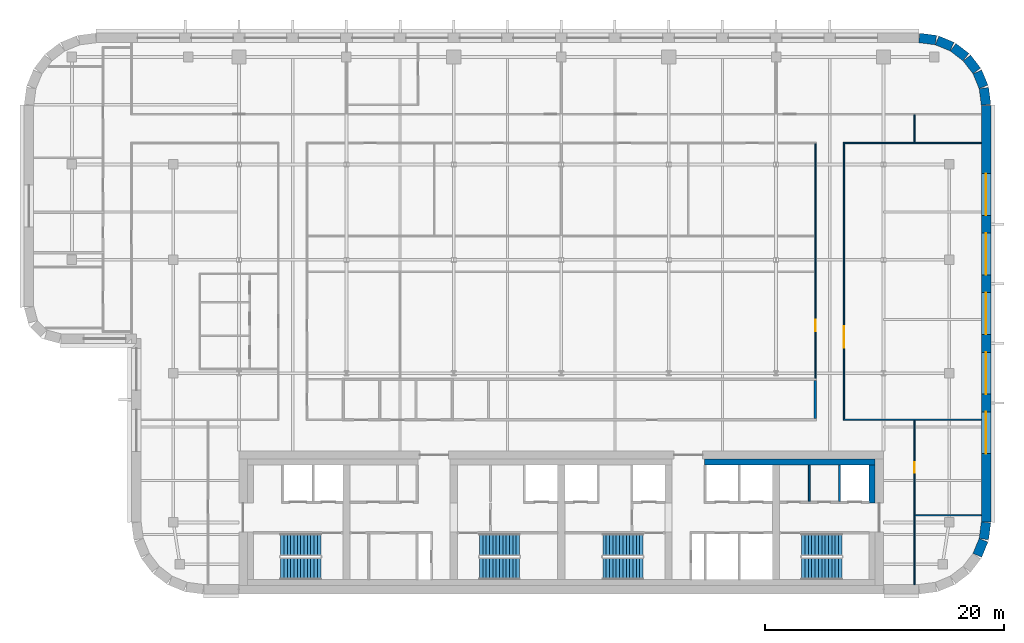
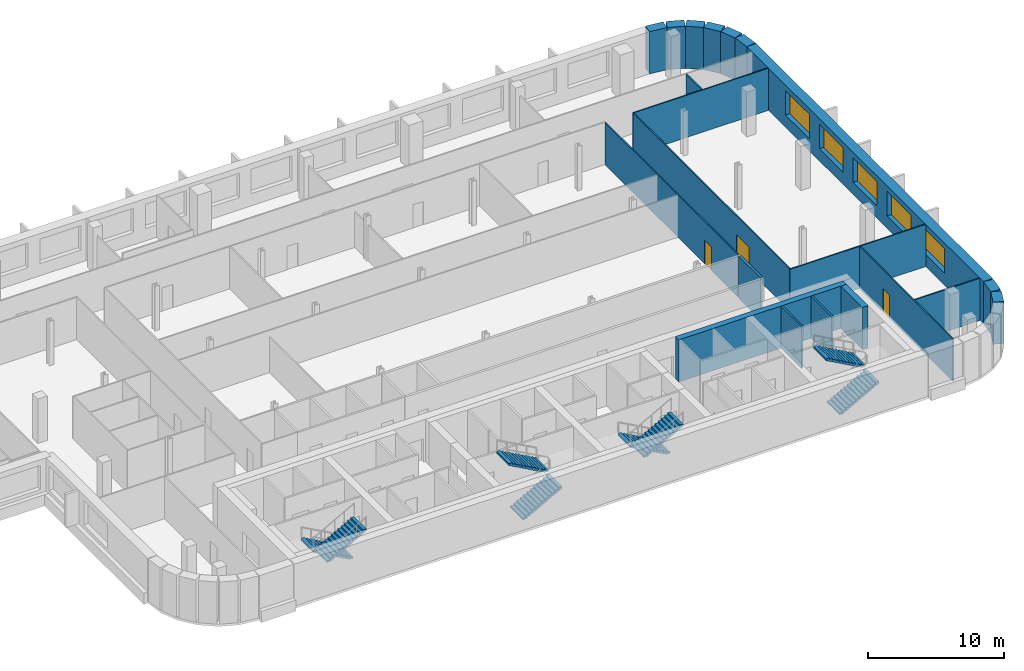
# One storey, part 12 of 16: 21 walls, 8 stair flights, 5 windows, 3 doors, 8 openings, 4 elements without a shape of their own.
"""IFC4 building model written with IfcOpenShell, lengths in metres."""

from ifc_helpers import new_model, si_unit, direction, frame, frame_2d, origin, place, context, subcontext, project, spatial, polyline, rectangle, outline, extrude, material, layer, layer_set, type_object, element, fill, aggregate, save


model = new_model("IFC4")

# Units and contexts
model_context = context("Model", 3, precision=1e-05, world=origin(), true_north=direction((0.0, 1.0)))
body_context = subcontext(model_context, "Body", "Model", "MODEL_VIEW")
ifc_project = project(units=[si_unit("LENGTHUNIT", "METRE"), si_unit("AREAUNIT", "SQUARE_METRE"), si_unit("VOLUMEUNIT", "CUBIC_METRE"), si_unit("PLANEANGLEUNIT", "RADIAN"), si_unit("MASSUNIT", "GRAM", prefix="KILO")], contexts=[model_context])

# Site, building, storey
site_placement = place(None, origin())
site = spatial("IfcSite", under=ifc_project, at=site_placement, CompositionType="ELEMENT")
building_placement = place(site_placement, origin())
building = spatial("IfcBuilding", under=site, at=building_placement, Name="Zellij Exchange Tower", CompositionType="ELEMENT")
storey_placement = place(building_placement, frame((0.0, 0.0, 236.5)))
storey = spatial("IfcBuildingStorey", under=building, at=storey_placement, Name="L55", CompositionType="ELEMENT", Elevation=236.5)

# Walls
ifc_material_1 = material(Name="Concrete C30/37", Category="concrete")
ifc_layer_1 = layer(ifc_material_1, 0.5)
ifc_layer_set_1 = layer_set([ifc_layer_1], Name="Concrete C30/37")
wall_type_1 = type_object("IfcWallType", Name="CORE-LW 500 C30/37", PredefinedType="SHEAR", material=ifc_layer_set_1)
wall_1_placement = place(storey_placement, frame((12.0, -2.949951171875, 0.0), z_axis=(0.0, 0.0, 1.0), x_axis=(1.0, 0.0, 0.0)))
element("IfcWall", 1, at=wall_1_placement, inside=storey, type_object=wall_type_1, Name="Core wall lining front.2 L55", PredefinedType="SHEAR", context=body_context, shape_type="SweptSolid", body=[
    extrude(rectangle(XDim=14.300048828125, YDim=0.5, at=frame_2d((7.14990234375, 0.0))), origin(), (0.0, 0.0, 1.0), 3.800048828125),
])
wall_2_placement = place(storey_placement, frame((26.050048828125, -6.375, 0.0), z_axis=(0.0, 0.0, 1.0), x_axis=(0.0, 1.0, 0.0)))
element("IfcWall", 2, at=wall_2_placement, inside=storey, type_object=wall_type_1, Name="Core wall lining end e.1 L55", PredefinedType="SHEAR", context=body_context, shape_type="SweptSolid", body=[
    extrude(rectangle(XDim=3.175048828125, YDim=0.5, at=frame_2d((1.58740234375, 0.0))), origin(), (0.0, 0.0, 1.0), 3.800048828125),
])
ifc_material_2 = material(Name="Gypsum board partition")
ifc_layer_2 = layer(ifc_material_2, 0.14990234375)
ifc_layer_set_2 = layer_set([ifc_layer_2], Name="Gypsum board partition")
wall_type_2 = type_object("IfcWallType", Name="CORE-PW 150 Lift lobby wall", PredefinedType="PARTITIONING", material=ifc_layer_set_2)
wall_3_placement = place(storey_placement, frame((20.77490234375, -6.22509765625, 0.0), z_axis=(0.0, 0.0, 1.0), x_axis=(0.0, 1.0, 0.0)))
element("IfcWall", 3, at=wall_3_placement, inside=storey, type_object=wall_type_2, Name="Lift lobby wall L55", PredefinedType="PARTITIONING", context=body_context, shape_type="SweptSolid", body=[
    extrude(rectangle(XDim=3.025146484375, YDim=0.14990234375, at=frame_2d((1.5126953125, 0.0))), origin(), (0.0, 0.0, 1.0), 3.800048828125),
])
ifc_material_3 = material(Name="Gypsum shaft wall system")
ifc_layer_3 = layer(ifc_material_3, 0.14990234375)
ifc_layer_set_3 = layer_set([ifc_layer_3], Name="Gypsum shaft wall system")
wall_type_3 = type_object("IfcWallType", Name="CORE-PW 150 Lift shaft wall", PredefinedType="PARTITIONING", material=ifc_layer_set_3)
wall_4_placement = place(storey_placement, frame((23.324951171875, -6.22509765625, 0.0), z_axis=(0.0, 0.0, 1.0), x_axis=(0.0, 1.0, 0.0)))
element("IfcWall", 4, at=wall_4_placement, inside=storey, type_object=wall_type_3, Name="Lift shaft wall L55", PredefinedType="PARTITIONING", context=body_context, shape_type="SweptSolid", body=[
    extrude(rectangle(XDim=3.025146484375, YDim=0.14990234375, at=frame_2d((1.5126953125, 0.0))), origin(), (0.0, 0.0, 1.0), 3.800048828125),
])
ifc_material_4 = material(Name="Precast concrete C40/50", Category="concrete")
ifc_layer_4 = layer(ifc_material_4, 0.800048828125)
ifc_layer_set_4 = layer_set([ifc_layer_4], Name="Precast concrete C40/50")
wall_type_4 = type_object("IfcWallType", Name="ENV-EW1 Precast stone-piered wall 800", PredefinedType="SOLIDWALL", material=ifc_layer_set_4)
wall_5_placement = place(storey_placement, frame((34.866943359375, -10.74951171875, 0.0), z_axis=(0.0, 0.0, 1.0), x_axis=(0.38276009378, 0.923847774587, 0.0)))
element("IfcWall", 5, at=wall_5_placement, inside=storey, type_object=wall_type_4, Name="fac.L55.05", PredefinedType="SOLIDWALL", context=body_context, shape_type="SweptSolid", body=[
    extrude(rectangle(XDim=1.35546875, YDim=0.800048828125, at=frame_2d((0.677734375, 0.0))), origin(), (0.0, 0.0, 1.0), 3.800048828125),
])
wall_6_placement = place(storey_placement, frame((35.412841796875, -9.396240234375, 0.0), z_axis=(0.0, 0.0, 1.0), x_axis=(0.130517283865, 0.99144603414, 0.0)))
element("IfcWall", 6, at=wall_6_placement, inside=storey, type_object=wall_type_4, Name="fac.L55.06", PredefinedType="SOLIDWALL", context=body_context, shape_type="SweptSolid", body=[
    extrude(rectangle(XDim=1.408447265625, YDim=0.800048828125, at=frame_2d((0.7041015625, 0.0))), origin(), (0.0, 0.0, 1.0), 3.800048828125),
])

# Wall, openings, windows
wall_7_placement = place(storey_placement, frame((35.60009765625, -7.947509765625, 0.0), z_axis=(0.0, 0.0, 1.0), x_axis=(0.0, 1.0, 0.0)))
wall_7 = element("IfcWall", 7, at=wall_7_placement, inside=storey, type_object=wall_type_4, Name="fac.L55.07", PredefinedType="SOLIDWALL", context=body_context, shape_type="SweptSolid", body=[
    extrude(rectangle(XDim=34.89501953125, YDim=0.800048828125, at=frame_2d((17.447509765625, 0.0))), origin(), (0.0, 0.0, 1.0), 3.800048828125),
])
opening_1_placement = place(wall_7_placement, frame((5.71240234375, 0.0, 1.10009765625)))
opening_1 = element("IfcOpeningElement", 8, at=opening_1_placement, cuts=wall_7, Name="Opening FZ4.01", PredefinedType="OPENING", context=body_context, shape_type="SweptSolid", body=[
    extrude(rectangle(XDim=3.5, YDim=2.199951171875, at=frame_2d((1.75, 1.10009765625))), frame((0.0, 0.412109375, 0.0), z_axis=(0.0, -1.0, 0.0), x_axis=(1.0, 0.0, 0.0)), (0.0, 0.0, 1.0), 0.823974609375),
])
opening_2_placement = place(wall_7_placement, frame((10.705078125, 0.0, 1.10009765625)))
opening_2 = element("IfcOpeningElement", 9, at=opening_2_placement, cuts=wall_7, Name="Opening FZ4.02", PredefinedType="OPENING", context=body_context, shape_type="SweptSolid", body=[
    extrude(rectangle(XDim=3.5, YDim=2.199951171875, at=frame_2d((1.75, 1.10009765625))), frame((0.0, 0.412109375, 0.0), z_axis=(0.0, -1.0, 0.0), x_axis=(1.0, 0.0, 0.0)), (0.0, 0.0, 1.0), 0.823974609375),
])
opening_3_placement = place(wall_7_placement, frame((15.697509765625, 0.0, 1.10009765625)))
opening_3 = element("IfcOpeningElement", 10, at=opening_3_placement, cuts=wall_7, Name="Opening FZ4.03", PredefinedType="OPENING", context=body_context, shape_type="SweptSolid", body=[
    extrude(rectangle(XDim=3.5, YDim=2.199951171875, at=frame_2d((1.75, 1.10009765625))), frame((0.0, 0.412109375, 0.0), z_axis=(0.0, -1.0, 0.0), x_axis=(1.0, 0.0, 0.0)), (0.0, 0.0, 1.0), 0.823974609375),
])
opening_4_placement = place(wall_7_placement, frame((20.690185546875, 0.0, 1.10009765625)))
opening_4 = element("IfcOpeningElement", 11, at=opening_4_placement, cuts=wall_7, Name="Opening FZ4.04", PredefinedType="OPENING", context=body_context, shape_type="SweptSolid", body=[
    extrude(rectangle(XDim=3.5, YDim=2.199951171875, at=frame_2d((1.75, 1.10009765625))), frame((0.0, 0.412109375, 0.0), z_axis=(0.0, -1.0, 0.0), x_axis=(1.0, 0.0, 0.0)), (0.0, 0.0, 1.0), 0.823974609375),
])
opening_5_placement = place(wall_7_placement, frame((25.6826171875, 0.0, 1.10009765625)))
opening_5 = element("IfcOpeningElement", 12, at=opening_5_placement, cuts=wall_7, Name="Opening FZ4.05", PredefinedType="OPENING", context=body_context, shape_type="SweptSolid", body=[
    extrude(rectangle(XDim=3.5, YDim=2.199951171875, at=frame_2d((1.75, 1.10009765625))), frame((0.0, 0.412109375, 0.0), z_axis=(0.0, -1.0, 0.0), x_axis=(1.0, 0.0, 0.0)), (0.0, 0.0, 1.0), 0.823974609375),
])
ifc_material_5 = material(Name="Aluminium frame with insulating glass", Category="aluminium")
window_type = type_object("IfcWindowType", Name="ENV-W7 Window 3500x2200", PartitioningType="SINGLE_PANEL", PredefinedType="WINDOW", material=ifc_material_5)
window_1_placement = place(opening_1_placement, origin())
window_1 = element("IfcWindow", 13, at=window_1_placement, inside=storey, type_object=window_type, Name="Window FZ4.01", OverallHeight=2.199951171875, OverallWidth=3.5, PartitioningType="SINGLE_PANEL", PredefinedType="WINDOW", context=body_context, shape_type="SweptSolid", body=[
    extrude(rectangle(XDim=3.5, YDim=2.199951171875, at=frame_2d((1.75, 1.10009765625))), frame((0.0, 0.030029296875, 0.0), z_axis=(0.0, -1.0, 0.0), x_axis=(1.0, 0.0, 0.0)), (0.0, 0.0, 1.0), 0.06005859375),
])
fill(opening_1, window_1)
window_2_placement = place(opening_2_placement, origin())
window_2 = element("IfcWindow", 14, at=window_2_placement, inside=storey, type_object=window_type, Name="Window FZ4.02", OverallHeight=2.199951171875, OverallWidth=3.5, PartitioningType="SINGLE_PANEL", PredefinedType="WINDOW", context=body_context, shape_type="SweptSolid", body=[
    extrude(rectangle(XDim=3.5, YDim=2.199951171875, at=frame_2d((1.75, 1.10009765625))), frame((0.0, 0.030029296875, 0.0), z_axis=(0.0, -1.0, 0.0), x_axis=(1.0, 0.0, 0.0)), (0.0, 0.0, 1.0), 0.06005859375),
])
fill(opening_2, window_2)
window_3_placement = place(opening_3_placement, origin())
window_3 = element("IfcWindow", 15, at=window_3_placement, inside=storey, type_object=window_type, Name="Window FZ4.03", OverallHeight=2.199951171875, OverallWidth=3.5, PartitioningType="SINGLE_PANEL", PredefinedType="WINDOW", context=body_context, shape_type="SweptSolid", body=[
    extrude(rectangle(XDim=3.5, YDim=2.199951171875, at=frame_2d((1.75, 1.10009765625))), frame((0.0, 0.030029296875, 0.0), z_axis=(0.0, -1.0, 0.0), x_axis=(1.0, 0.0, 0.0)), (0.0, 0.0, 1.0), 0.06005859375),
])
fill(opening_3, window_3)
window_4_placement = place(opening_4_placement, origin())
window_4 = element("IfcWindow", 16, at=window_4_placement, inside=storey, type_object=window_type, Name="Window FZ4.04", OverallHeight=2.199951171875, OverallWidth=3.5, PartitioningType="SINGLE_PANEL", PredefinedType="WINDOW", context=body_context, shape_type="SweptSolid", body=[
    extrude(rectangle(XDim=3.5, YDim=2.199951171875, at=frame_2d((1.75, 1.10009765625))), frame((0.0, 0.030029296875, 0.0), z_axis=(0.0, -1.0, 0.0), x_axis=(1.0, 0.0, 0.0)), (0.0, 0.0, 1.0), 0.06005859375),
])
fill(opening_4, window_4)
window_5_placement = place(opening_5_placement, origin())
window_5 = element("IfcWindow", 17, at=window_5_placement, inside=storey, type_object=window_type, Name="Window FZ4.05", OverallHeight=2.199951171875, OverallWidth=3.5, PartitioningType="SINGLE_PANEL", PredefinedType="WINDOW", context=body_context, shape_type="SweptSolid", body=[
    extrude(rectangle(XDim=3.5, YDim=2.199951171875, at=frame_2d((1.75, 1.10009765625))), frame((0.0, 0.030029296875, 0.0), z_axis=(0.0, -1.0, 0.0), x_axis=(1.0, 0.0, 0.0)), (0.0, 0.0, 1.0), 0.06005859375),
])
fill(opening_5, window_5)

# Walls
wall_8_placement = place(storey_placement, frame((35.5966796875, 26.999755859375, 0.0), z_axis=(0.0, 0.0, 1.0), x_axis=(-0.130517283865, 0.99144603414, 0.0)))
element("IfcWall", 18, at=wall_8_placement, inside=storey, type_object=wall_type_4, Name="fac.L55.08", PredefinedType="SOLIDWALL", context=body_context, shape_type="SweptSolid", body=[
    extrude(rectangle(XDim=1.408447265625, YDim=0.800048828125, at=frame_2d((0.7041015625, 0.0))), origin(), (0.0, 0.0, 1.0), 3.800048828125),
])
wall_9_placement = place(storey_placement, frame((35.3857421875, 28.497314453125, 0.0), z_axis=(0.0, 0.0, 1.0), x_axis=(-0.38276009378, 0.923847774587, 0.0)))
element("IfcWall", 19, at=wall_9_placement, inside=storey, type_object=wall_type_4, Name="fac.L55.09", PredefinedType="SOLIDWALL", context=body_context, shape_type="SweptSolid", body=[
    extrude(rectangle(XDim=1.35546875, YDim=0.800048828125, at=frame_2d((0.677734375, 0.0))), origin(), (0.0, 0.0, 1.0), 3.800048828125),
])
for number, where, z_axis, x_axis, name in (
    (20, (34.814697265625, 29.840087890625, 0.0), (0.0, 0.0, 1.0), (-0.608866226366, 0.793272915452, 0.0), "fac.L55.10"),
    (21, (33.91552734375, 30.9892578125, 0.0), (0.0, 0.0, 1.0), (-0.793272915452, 0.608866226366, 0.0), "fac.L55.11"),
):
    element("IfcWall", number, at=place(storey_placement, frame(where, z_axis=z_axis, x_axis=x_axis)), inside=storey, type_object=wall_type_4, Name=name, PredefinedType="SOLIDWALL", context=body_context, shape_type="SweptSolid", body=[
        extrude(rectangle(XDim=1.355712890625, YDim=0.800048828125, at=frame_2d((0.677734375, 0.0))), origin(), (0.0, 0.0, 1.0), 3.800048828125),
    ])
wall_10_placement = place(storey_placement, frame((32.74951171875, 31.866943359375, 0.0), z_axis=(0.0, 0.0, 1.0), x_axis=(-0.923847774587, 0.38276009378, 0.0)))
element("IfcWall", 22, at=wall_10_placement, inside=storey, type_object=wall_type_4, Name="fac.L55.12", PredefinedType="SOLIDWALL", context=body_context, shape_type="SweptSolid", body=[
    extrude(rectangle(XDim=1.35546875, YDim=0.800048828125, at=frame_2d((0.677734375, 0.0))), origin(), (0.0, 0.0, 1.0), 3.800048828125),
])
wall_11_placement = place(storey_placement, frame((31.396240234375, 32.412841796875, 0.0), z_axis=(0.0, 0.0, 1.0), x_axis=(-0.99144603414, 0.130517283865, 0.0)))
element("IfcWall", 23, at=wall_11_placement, inside=storey, type_object=wall_type_4, Name="fac.L55.13", PredefinedType="SOLIDWALL", context=body_context, shape_type="SweptSolid", body=[
    extrude(rectangle(XDim=1.408447265625, YDim=0.800048828125, at=frame_2d((0.7041015625, 0.0))), origin(), (0.0, 0.0, 1.0), 3.800048828125),
])
ifc_material_6 = material(Name="Blockwork partition", Category="masonry")
ifc_layer_5 = layer(ifc_material_6, 0.199951171875)
ifc_layer_set_5 = layer_set([ifc_layer_5], Name="Blockwork partition")
wall_type_5 = type_object("IfcWallType", Name="FIT-BLOCKWORK-200", PredefinedType="PARTITIONING", material=ifc_layer_set_5)
wall_12_placement = place(storey_placement, frame((21.300048828125, 0.699951171875, 0.0), z_axis=(0.0, 0.0, 1.0), x_axis=(0.0, 1.0, 0.0)))
element("IfcWall", 24, at=wall_12_placement, inside=storey, type_object=wall_type_5, Name="FIT-BLOCKWORK-200 015", PredefinedType="PARTITIONING", context=body_context, shape_type="SweptSolid", body=[
    extrude(rectangle(XDim=3.199951171875, YDim=0.199951171875, at=frame_2d((1.60009765625, 0.0))), origin(), (0.0, 0.0, 1.0), 3.800048828125),
])

# Wall, opening, door
ifc_material_7 = material(Name="Gypsum board partition on steel studs", Category="steel")
ifc_layer_6 = layer(ifc_material_7, 0.10009765625)
ifc_layer_set_6 = layer_set([ifc_layer_6], Name="Gypsum board partition on steel studs")
wall_type_6 = type_object("IfcWallType", Name="FIT-PARTITION-100", PredefinedType="PARTITIONING", material=ifc_layer_set_6)
wall_13_placement = place(storey_placement, frame((29.60009765625, -13.199951171875, 0.0), z_axis=(0.0, 0.0, 1.0), x_axis=(0.0, 1.0, 0.0)))
wall_13 = element("IfcWall", 25, at=wall_13_placement, inside=storey, type_object=wall_type_6, Name="FIT-PARTITION-100 002", PredefinedType="PARTITIONING", context=body_context, shape_type="SweptSolid", body=[
    extrude(rectangle(XDim=13.75, YDim=0.10009765625, at=frame_2d((6.875, 0.0))), origin(), (0.0, 0.0, 1.0), 3.800048828125),
])
opening_6_placement = place(wall_13_placement, frame((9.35009765625, 0.0, 0.0)))
opening_6 = element("IfcOpeningElement", 26, at=opening_6_placement, cuts=wall_13, Name="Opening O4C.02", PredefinedType="OPENING", context=body_context, shape_type="SweptSolid", body=[
    extrude(rectangle(XDim=0.89990234375, YDim=2.10009765625, at=frame_2d((0.449951171875, 1.050048828125))), frame((0.0, 0.06201171875, 0.0), z_axis=(0.0, -1.0, 0.0), x_axis=(1.0, 0.0, 0.0)), (0.0, 0.0, 1.0), 0.1240234375),
])
ifc_material_8 = material(Name="Timber door set", Category="wood")
door_type_1 = type_object("IfcDoorType", Name="FIT-D1-ROOM-900X2100", OperationType="SINGLE_SWING_LEFT", PredefinedType="DOOR", material=ifc_material_8)
door_1_placement = place(opening_6_placement, origin())
door_1 = element("IfcDoor", 27, at=door_1_placement, inside=storey, type_object=door_type_1, Name="Door O4C.02", OperationType="SINGLE_SWING_LEFT", OverallHeight=2.10009765625, OverallWidth=0.89990234375, PredefinedType="DOOR", context=body_context, shape_type="SweptSolid", body=[
    extrude(rectangle(XDim=0.89990234375, YDim=2.10009765625, at=frame_2d((0.449951171875, 1.050048828125))), frame((0.0, 0.02490234375, 0.0), z_axis=(0.0, -1.0, 0.0), x_axis=(1.0, 0.0, 0.0)), (0.0, 0.0, 1.0), 0.050048828125),
])
fill(opening_6, door_1)

# Walls
wall_14_placement = place(storey_placement, frame((29.64990234375, -7.39990234375, 0.0), z_axis=(0.0, 0.0, 1.0), x_axis=(1.0, 0.0, 0.0)))
element("IfcWall", 28, at=wall_14_placement, inside=storey, type_object=wall_type_6, Name="FIT-PARTITION-100 003", PredefinedType="PARTITIONING", context=body_context, shape_type="SweptSolid", body=[
    extrude(rectangle(XDim=5.550048828125, YDim=0.10009765625, at=frame_2d((2.77490234375, 0.0))), origin(), (0.0, 0.0, 1.0), 3.800048828125),
])
wall_15_placement = place(storey_placement, frame((23.64990234375, 0.60009765625, 0.0), z_axis=(0.0, 0.0, 1.0), x_axis=(1.0, 0.0, 0.0)))
element("IfcWall", 29, at=wall_15_placement, inside=storey, type_object=wall_type_6, Name="FIT-PARTITION-100 016", PredefinedType="PARTITIONING", context=body_context, shape_type="SweptSolid", body=[
    extrude(rectangle(XDim=11.550048828125, YDim=0.10009765625, at=frame_2d((5.77490234375, 0.0))), origin(), (0.0, 0.0, 1.0), 3.800048828125),
])

# Wall, opening, door
wall_16_placement = place(storey_placement, frame((23.699951171875, 0.64990234375, 0.0), z_axis=(0.0, 0.0, 1.0), x_axis=(0.0, 1.0, 0.0)))
wall_16 = element("IfcWall", 30, at=wall_16_placement, inside=storey, type_object=wall_type_6, Name="FIT-PARTITION-100 017", PredefinedType="PARTITIONING", context=body_context, shape_type="SweptSolid", body=[
    extrude(rectangle(XDim=23.10009765625, YDim=0.10009765625, at=frame_2d((11.550048828125, 0.0))), origin(), (0.0, 0.0, 1.0), 3.800048828125),
])
opening_7_placement = place(wall_16_placement, frame((6.0, 0.0, 0.0)))
opening_7 = element("IfcOpeningElement", 31, at=opening_7_placement, cuts=wall_16, Name="Opening O4C.10", PredefinedType="OPENING", context=body_context, shape_type="SweptSolid", body=[
    extrude(rectangle(XDim=1.800048828125, YDim=2.10009765625, at=frame_2d((0.89990234375, 1.050048828125))), frame((0.0, 0.06201171875, 0.0), z_axis=(0.0, -1.0, 0.0), x_axis=(1.0, 0.0, 0.0)), (0.0, 0.0, 1.0), 0.1240234375),
])
door_type_2 = type_object("IfcDoorType", Name="FIT-D3-DOUBLE-1800X2100", OperationType="DOUBLE_DOOR_SINGLE_SWING", PredefinedType="DOOR", material=ifc_material_8)
door_2_placement = place(opening_7_placement, origin())
door_2 = element("IfcDoor", 32, at=door_2_placement, inside=storey, type_object=door_type_2, Name="Door O4C.10", OperationType="DOUBLE_DOOR_SINGLE_SWING", OverallHeight=2.10009765625, OverallWidth=1.800048828125, PredefinedType="DOOR", context=body_context, shape_type="SweptSolid", body=[
    extrude(rectangle(XDim=1.800048828125, YDim=2.10009765625, at=frame_2d((0.89990234375, 1.050048828125))), frame((0.0, 0.02490234375, 0.0), z_axis=(0.0, -1.0, 0.0), x_axis=(1.0, 0.0, 0.0)), (0.0, 0.0, 1.0), 0.050048828125),
])
fill(opening_7, door_2)

wall_17_placement = place(storey_placement, frame((21.300048828125, 4.10009765625, 0.0), z_axis=(0.0, 0.0, 1.0), x_axis=(0.0, 1.0, 0.0)))
wall_17 = element("IfcWall", 33, at=wall_17_placement, inside=storey, type_object=wall_type_6, Name="FIT-PARTITION-100 022", PredefinedType="PARTITIONING", context=body_context, shape_type="SweptSolid", body=[
    extrude(rectangle(XDim=19.64990234375, YDim=0.10009765625, at=frame_2d((9.824951171875, 0.0))), origin(), (0.0, 0.0, 1.0), 3.800048828125),
])
opening_8_placement = place(wall_17_placement, frame((3.89990234375, 0.0, 0.0)))
opening_8 = element("IfcOpeningElement", 34, at=opening_8_placement, cuts=wall_17, Name="Opening O4C.12", PredefinedType="OPENING", context=body_context, shape_type="SweptSolid", body=[
    extrude(rectangle(XDim=1.0, YDim=2.10009765625, at=frame_2d((0.5, 1.050048828125))), frame((0.0, 0.06201171875, 0.0), z_axis=(0.0, -1.0, 0.0), x_axis=(1.0, 0.0, 0.0)), (0.0, 0.0, 1.0), 0.1240234375),
])
door_type_3 = type_object("IfcDoorType", Name="FIT-D2-WIDE-1000X2100", OperationType="SINGLE_SWING_LEFT", PredefinedType="DOOR", material=ifc_material_8)
door_3_placement = place(opening_8_placement, origin())
door_3 = element("IfcDoor", 35, at=door_3_placement, inside=storey, type_object=door_type_3, Name="Door O4C.12", OperationType="SINGLE_SWING_RIGHT", OverallHeight=2.10009765625, OverallWidth=1.0, PredefinedType="DOOR", context=body_context, shape_type="SweptSolid", body=[
    extrude(rectangle(XDim=1.0, YDim=2.10009765625, at=frame_2d((0.5, 1.050048828125))), frame((0.0, 0.02490234375, 0.0), z_axis=(0.0, -1.0, 0.0), x_axis=(1.0, 0.0, 0.0)), (0.0, 0.0, 1.0), 0.050048828125),
])
fill(opening_8, door_3)

# Walls
wall_18_placement = place(storey_placement, frame((23.64990234375, 23.800048828125, 0.0), z_axis=(0.0, 0.0, 1.0), x_axis=(1.0, 0.0, 0.0)))
element("IfcWall", 36, at=wall_18_placement, inside=storey, type_object=wall_type_6, Name="FIT-PARTITION-100 047", PredefinedType="PARTITIONING", context=body_context, shape_type="SweptSolid", body=[
    extrude(rectangle(XDim=11.550048828125, YDim=0.10009765625, at=frame_2d((5.77490234375, 0.0))), origin(), (0.0, 0.0, 1.0), 3.800048828125),
])
wall_19_placement = place(storey_placement, frame((29.60009765625, 23.85009765625, 0.0), z_axis=(0.0, 0.0, 1.0), x_axis=(0.0, 1.0, 0.0)))
element("IfcWall", 37, at=wall_19_placement, inside=storey, type_object=wall_type_6, Name="FIT-PARTITION-100 048", PredefinedType="PARTITIONING", context=body_context, shape_type="SweptSolid", body=[
    extrude(rectangle(XDim=2.2998046875, YDim=0.10009765625, at=frame_2d((1.14990234375, 0.0))), origin(), (0.0, 0.0, 1.0), 3.800048828125),
])

# Stair, stair flights
ifc_material_9 = material(Name="Concrete C40/50", Category="concrete")
stair_type = type_object("IfcStairType", Name="CORE-ST exit stair 1850 wide", PredefinedType="HALF_TURN_STAIR", material=ifc_material_9)
stair_1_placement = place(storey_placement, origin())
stair_1 = element("IfcStair", 38, at=stair_1_placement, inside=storey, type_object=stair_type, Name="L55 exit stair ST1", PredefinedType="HALF_TURN_STAIR")
stair_flight_type = type_object("IfcStairFlightType", Name="CORE-SF flight 1850 riser 153.8 going 280", PredefinedType="STRAIGHT", material=ifc_material_9)
stair_flight_1_placement = place(storey_placement, frame((-20.14990234375, -9.875, 0.0), z_axis=(0.0, 0.0, 1.0), x_axis=(-1.0, 0.0, 0.0)))
stair_flight_1 = element("IfcStairFlight", 39, at=stair_flight_1_placement, type_object=stair_flight_type, Name="ST1 flight 1", NumberOfRisers=13, NumberOfTreads=12, PredefinedType="STRAIGHT", RiserHeight=0.153846154, TreadLength=0.28, context=body_context, shape_type="SweptSolid", body=[
    extrude(outline(polyline([(0.0, 0.0), (0.0, 0.15380859375), (0.280029296875, 0.15380859375), (0.280029296875, 0.3076171875), (0.56005859375, 0.3076171875), (0.56005859375, 0.46142578125), (0.840087890625, 0.46142578125), (0.840087890625, 0.615478515625), (1.1201171875, 0.615478515625), (1.1201171875, 0.769287109375), (1.39990234375, 0.769287109375), (1.39990234375, 0.923095703125), (1.679931640625, 0.923095703125), (1.679931640625, 1.076904296875), (1.9599609375, 1.076904296875), (1.9599609375, 1.230712890625), (2.239990234375, 1.230712890625), (2.239990234375, 1.384521484375), (2.52001953125, 1.384521484375), (2.52001953125, 1.53857421875), (2.800048828125, 1.53857421875), (2.800048828125, 1.6923828125), (3.080078125, 1.6923828125), (3.080078125, 1.84619140625), (3.360107421875, 1.84619140625), (3.360107421875, 2.0), (3.360107421875, 1.675048828125), (0.311279296875, 0.0), (0.0, 0.0)])), frame((0.0, 0.925048828125, 0.0), z_axis=(0.0, -1.0, 0.0), x_axis=(1.0, 0.0, 0.0)), (0.0, 0.0, 1.0), 1.85009765625),
])
stair_flight_2_placement = place(storey_placement, frame((-23.510009765625, -11.875, 2.0), z_axis=(0.0, 0.0, 1.0), x_axis=(1.0, 0.0, 0.0)))
stair_flight_2 = element("IfcStairFlight", 40, at=stair_flight_2_placement, type_object=stair_flight_type, Name="ST1 flight 2", NumberOfRisers=13, NumberOfTreads=12, PredefinedType="STRAIGHT", RiserHeight=0.153846154, TreadLength=0.28, context=body_context, shape_type="SweptSolid", body=[
    extrude(outline(polyline([(0.0, 0.0), (0.0, 0.15380859375), (0.280029296875, 0.15380859375), (0.280029296875, 0.3076171875), (0.56005859375, 0.3076171875), (0.56005859375, 0.46142578125), (0.840087890625, 0.46142578125), (0.840087890625, 0.615478515625), (1.1201171875, 0.615478515625), (1.1201171875, 0.769287109375), (1.39990234375, 0.769287109375), (1.39990234375, 0.923095703125), (1.679931640625, 0.923095703125), (1.679931640625, 1.076904296875), (1.9599609375, 1.076904296875), (1.9599609375, 1.230712890625), (2.239990234375, 1.230712890625), (2.239990234375, 1.384521484375), (2.52001953125, 1.384521484375), (2.52001953125, 1.53857421875), (2.800048828125, 1.53857421875), (2.800048828125, 1.6923828125), (3.080078125, 1.6923828125), (3.080078125, 1.84619140625), (3.360107421875, 1.84619140625), (3.360107421875, 2.0), (3.360107421875, 1.675048828125), (0.311279296875, 0.0), (0.0, 0.0)])), frame((0.0, 0.925048828125, 0.0), z_axis=(0.0, -1.0, 0.0), x_axis=(1.0, 0.0, 0.0)), (0.0, 0.0, 1.0), 1.85009765625),
])
aggregate(stair_1, [stair_flight_1, stair_flight_2])

stair_2_placement = place(storey_placement, origin())
stair_2 = element("IfcStair", 41, at=stair_2_placement, inside=storey, type_object=stair_type, Name="L55 exit stair ST2", PredefinedType="HALF_TURN_STAIR")
stair_flight_3_placement = place(storey_placement, frame((-6.85009765625, -11.875, 0.0), z_axis=(0.0, 0.0, 1.0), x_axis=(1.0, 0.0, 0.0)))
stair_flight_3 = element("IfcStairFlight", 42, at=stair_flight_3_placement, type_object=stair_flight_type, Name="ST2 flight 1", NumberOfRisers=13, NumberOfTreads=12, PredefinedType="STRAIGHT", RiserHeight=0.153846154, TreadLength=0.28, context=body_context, shape_type="SweptSolid", body=[
    extrude(outline(polyline([(0.0, 0.0), (0.0, 0.15380859375), (0.280029296875, 0.15380859375), (0.280029296875, 0.3076171875), (0.56005859375, 0.3076171875), (0.56005859375, 0.46142578125), (0.840087890625, 0.46142578125), (0.840087890625, 0.615478515625), (1.1201171875, 0.615478515625), (1.1201171875, 0.769287109375), (1.39990234375, 0.769287109375), (1.39990234375, 0.923095703125), (1.679931640625, 0.923095703125), (1.679931640625, 1.076904296875), (1.9599609375, 1.076904296875), (1.9599609375, 1.230712890625), (2.239990234375, 1.230712890625), (2.239990234375, 1.384521484375), (2.52001953125, 1.384521484375), (2.52001953125, 1.53857421875), (2.800048828125, 1.53857421875), (2.800048828125, 1.6923828125), (3.080078125, 1.6923828125), (3.080078125, 1.84619140625), (3.360107421875, 1.84619140625), (3.360107421875, 2.0), (3.360107421875, 1.675048828125), (0.311279296875, 0.0), (0.0, 0.0)])), frame((0.0, 0.925048828125, 0.0), z_axis=(0.0, -1.0, 0.0), x_axis=(1.0, 0.0, 0.0)), (0.0, 0.0, 1.0), 1.85009765625),
])
stair_flight_4_placement = place(storey_placement, frame((-3.489990234375, -9.875, 2.0), z_axis=(0.0, 0.0, 1.0), x_axis=(-1.0, 0.0, 0.0)))
stair_flight_4 = element("IfcStairFlight", 43, at=stair_flight_4_placement, type_object=stair_flight_type, Name="ST2 flight 2", NumberOfRisers=13, NumberOfTreads=12, PredefinedType="STRAIGHT", RiserHeight=0.153846154, TreadLength=0.28, context=body_context, shape_type="SweptSolid", body=[
    extrude(outline(polyline([(0.0, 0.0), (0.0, 0.15380859375), (0.280029296875, 0.15380859375), (0.280029296875, 0.3076171875), (0.56005859375, 0.3076171875), (0.56005859375, 0.46142578125), (0.840087890625, 0.46142578125), (0.840087890625, 0.615478515625), (1.1201171875, 0.615478515625), (1.1201171875, 0.769287109375), (1.39990234375, 0.769287109375), (1.39990234375, 0.923095703125), (1.679931640625, 0.923095703125), (1.679931640625, 1.076904296875), (1.9599609375, 1.076904296875), (1.9599609375, 1.230712890625), (2.239990234375, 1.230712890625), (2.239990234375, 1.384521484375), (2.52001953125, 1.384521484375), (2.52001953125, 1.53857421875), (2.800048828125, 1.53857421875), (2.800048828125, 1.6923828125), (3.080078125, 1.6923828125), (3.080078125, 1.84619140625), (3.360107421875, 1.84619140625), (3.360107421875, 2.0), (3.360107421875, 1.675048828125), (0.311279296875, 0.0), (0.0, 0.0)])), frame((0.0, 0.925048828125, 0.0), z_axis=(0.0, -1.0, 0.0), x_axis=(1.0, 0.0, 0.0)), (0.0, 0.0, 1.0), 1.85009765625),
])
aggregate(stair_2, [stair_flight_3, stair_flight_4])

stair_3_placement = place(storey_placement, origin())
stair_3 = element("IfcStair", 44, at=stair_3_placement, inside=storey, type_object=stair_type, Name="L55 exit stair ST3", PredefinedType="HALF_TURN_STAIR")
stair_flight_5_placement = place(storey_placement, frame((6.85009765625, -9.875, 0.0), z_axis=(0.0, 0.0, 1.0), x_axis=(-1.0, 0.0, 0.0)))
stair_flight_5 = element("IfcStairFlight", 45, at=stair_flight_5_placement, type_object=stair_flight_type, Name="ST3 flight 1", NumberOfRisers=13, NumberOfTreads=12, PredefinedType="STRAIGHT", RiserHeight=0.153846154, TreadLength=0.28, context=body_context, shape_type="SweptSolid", body=[
    extrude(outline(polyline([(0.0, 0.0), (0.0, 0.15380859375), (0.280029296875, 0.15380859375), (0.280029296875, 0.3076171875), (0.56005859375, 0.3076171875), (0.56005859375, 0.46142578125), (0.840087890625, 0.46142578125), (0.840087890625, 0.615478515625), (1.1201171875, 0.615478515625), (1.1201171875, 0.769287109375), (1.39990234375, 0.769287109375), (1.39990234375, 0.923095703125), (1.679931640625, 0.923095703125), (1.679931640625, 1.076904296875), (1.9599609375, 1.076904296875), (1.9599609375, 1.230712890625), (2.239990234375, 1.230712890625), (2.239990234375, 1.384521484375), (2.52001953125, 1.384521484375), (2.52001953125, 1.53857421875), (2.800048828125, 1.53857421875), (2.800048828125, 1.6923828125), (3.080078125, 1.6923828125), (3.080078125, 1.84619140625), (3.360107421875, 1.84619140625), (3.360107421875, 2.0), (3.360107421875, 1.675048828125), (0.311279296875, 0.0), (0.0, 0.0)])), frame((0.0, 0.925048828125, 0.0), z_axis=(0.0, -1.0, 0.0), x_axis=(1.0, 0.0, 0.0)), (0.0, 0.0, 1.0), 1.85009765625),
])
stair_flight_6_placement = place(storey_placement, frame((3.489990234375, -11.875, 2.0), z_axis=(0.0, 0.0, 1.0), x_axis=(1.0, 0.0, 0.0)))
stair_flight_6 = element("IfcStairFlight", 46, at=stair_flight_6_placement, type_object=stair_flight_type, Name="ST3 flight 2", NumberOfRisers=13, NumberOfTreads=12, PredefinedType="STRAIGHT", RiserHeight=0.153846154, TreadLength=0.28, context=body_context, shape_type="SweptSolid", body=[
    extrude(outline(polyline([(0.0, 0.0), (0.0, 0.15380859375), (0.280029296875, 0.15380859375), (0.280029296875, 0.3076171875), (0.56005859375, 0.3076171875), (0.56005859375, 0.46142578125), (0.840087890625, 0.46142578125), (0.840087890625, 0.615478515625), (1.1201171875, 0.615478515625), (1.1201171875, 0.769287109375), (1.39990234375, 0.769287109375), (1.39990234375, 0.923095703125), (1.679931640625, 0.923095703125), (1.679931640625, 1.076904296875), (1.9599609375, 1.076904296875), (1.9599609375, 1.230712890625), (2.239990234375, 1.230712890625), (2.239990234375, 1.384521484375), (2.52001953125, 1.384521484375), (2.52001953125, 1.53857421875), (2.800048828125, 1.53857421875), (2.800048828125, 1.6923828125), (3.080078125, 1.6923828125), (3.080078125, 1.84619140625), (3.360107421875, 1.84619140625), (3.360107421875, 2.0), (3.360107421875, 1.675048828125), (0.311279296875, 0.0), (0.0, 0.0)])), frame((0.0, 0.925048828125, 0.0), z_axis=(0.0, -1.0, 0.0), x_axis=(1.0, 0.0, 0.0)), (0.0, 0.0, 1.0), 1.85009765625),
])
aggregate(stair_3, [stair_flight_5, stair_flight_6])

stair_4_placement = place(storey_placement, origin())
stair_4 = element("IfcStair", 47, at=stair_4_placement, inside=storey, type_object=stair_type, Name="L55 exit stair ST4", PredefinedType="HALF_TURN_STAIR")
stair_flight_7_placement = place(storey_placement, frame((20.14990234375, -11.875, 0.0), z_axis=(0.0, 0.0, 1.0), x_axis=(1.0, 0.0, 0.0)))
stair_flight_7 = element("IfcStairFlight", 48, at=stair_flight_7_placement, type_object=stair_flight_type, Name="ST4 flight 1", NumberOfRisers=13, NumberOfTreads=12, PredefinedType="STRAIGHT", RiserHeight=0.153846154, TreadLength=0.28, context=body_context, shape_type="SweptSolid", body=[
    extrude(outline(polyline([(0.0, 0.0), (0.0, 0.15380859375), (0.280029296875, 0.15380859375), (0.280029296875, 0.3076171875), (0.56005859375, 0.3076171875), (0.56005859375, 0.46142578125), (0.840087890625, 0.46142578125), (0.840087890625, 0.615478515625), (1.1201171875, 0.615478515625), (1.1201171875, 0.769287109375), (1.39990234375, 0.769287109375), (1.39990234375, 0.923095703125), (1.679931640625, 0.923095703125), (1.679931640625, 1.076904296875), (1.9599609375, 1.076904296875), (1.9599609375, 1.230712890625), (2.239990234375, 1.230712890625), (2.239990234375, 1.384521484375), (2.52001953125, 1.384521484375), (2.52001953125, 1.53857421875), (2.800048828125, 1.53857421875), (2.800048828125, 1.6923828125), (3.080078125, 1.6923828125), (3.080078125, 1.84619140625), (3.360107421875, 1.84619140625), (3.360107421875, 2.0), (3.360107421875, 1.675048828125), (0.311279296875, 0.0), (0.0, 0.0)])), frame((0.0, 0.925048828125, 0.0), z_axis=(0.0, -1.0, 0.0), x_axis=(1.0, 0.0, 0.0)), (0.0, 0.0, 1.0), 1.85009765625),
])
stair_flight_8_placement = place(storey_placement, frame((23.510009765625, -9.875, 2.0), z_axis=(0.0, 0.0, 1.0), x_axis=(-1.0, 0.0, 0.0)))
stair_flight_8 = element("IfcStairFlight", 49, at=stair_flight_8_placement, type_object=stair_flight_type, Name="ST4 flight 2", NumberOfRisers=13, NumberOfTreads=12, PredefinedType="STRAIGHT", RiserHeight=0.153846154, TreadLength=0.28, context=body_context, shape_type="SweptSolid", body=[
    extrude(outline(polyline([(0.0, 0.0), (0.0, 0.15380859375), (0.280029296875, 0.15380859375), (0.280029296875, 0.3076171875), (0.56005859375, 0.3076171875), (0.56005859375, 0.46142578125), (0.840087890625, 0.46142578125), (0.840087890625, 0.615478515625), (1.1201171875, 0.615478515625), (1.1201171875, 0.769287109375), (1.39990234375, 0.769287109375), (1.39990234375, 0.923095703125), (1.679931640625, 0.923095703125), (1.679931640625, 1.076904296875), (1.9599609375, 1.076904296875), (1.9599609375, 1.230712890625), (2.239990234375, 1.230712890625), (2.239990234375, 1.384521484375), (2.52001953125, 1.384521484375), (2.52001953125, 1.53857421875), (2.800048828125, 1.53857421875), (2.800048828125, 1.6923828125), (3.080078125, 1.6923828125), (3.080078125, 1.84619140625), (3.360107421875, 1.84619140625), (3.360107421875, 2.0), (3.360107421875, 1.675048828125), (0.311279296875, 0.0), (0.0, 0.0)])), frame((0.0, 0.925048828125, 0.0), z_axis=(0.0, -1.0, 0.0), x_axis=(1.0, 0.0, 0.0)), (0.0, 0.0, 1.0), 1.85009765625),
])
aggregate(stair_4, [stair_flight_7, stair_flight_8])

save(model, "model.ifc")
